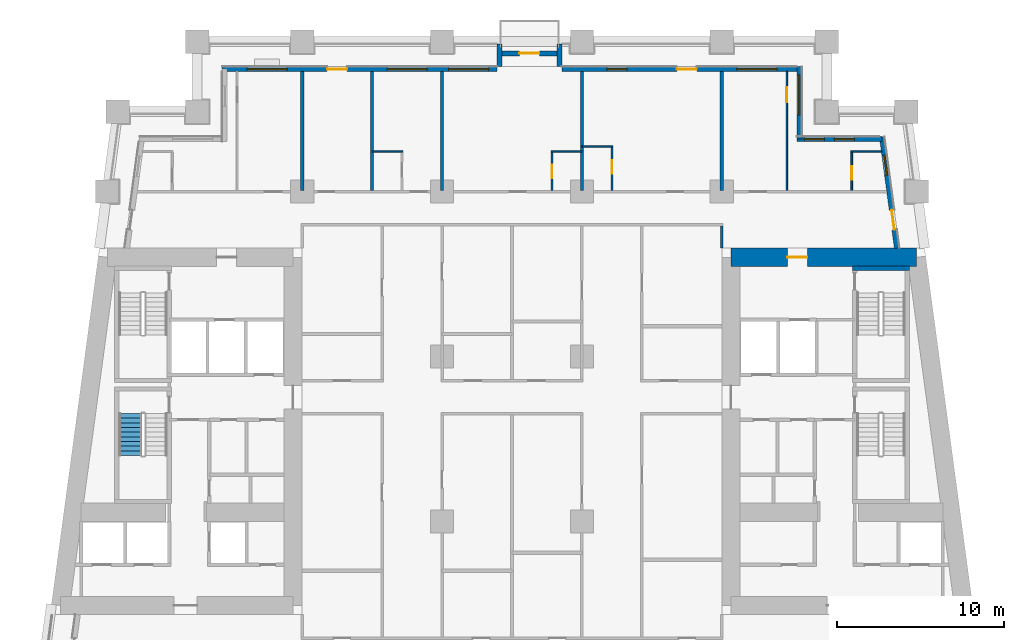
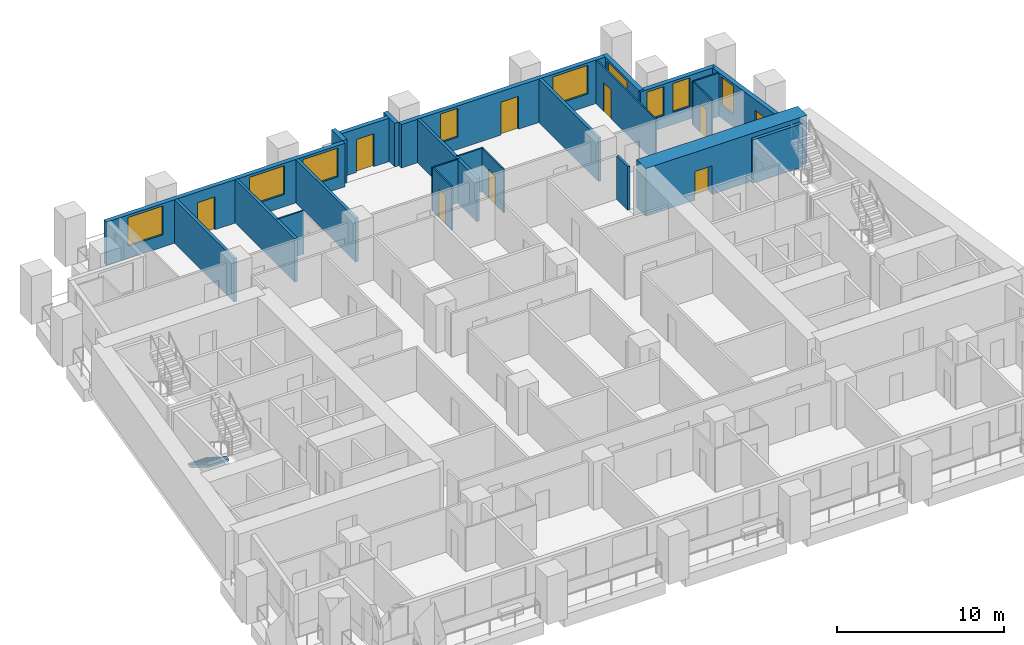
# One storey, part 7 of 13: 24 walls, 9 doors, 9 windows, 1 stair flight, 18 openings, 1 element without a shape of its own.
"""IFC4 building model written with IfcOpenShell, lengths in metres."""

from ifc_helpers import new_model, si_unit, direction, frame, frame_2d, origin, place, context, subcontext, project, spatial, polyline, rectangle, outline, extrude, material, layer, layer_set, type_object, element, fill, aggregate, save


model = new_model("IFC4")

# Units and contexts
model_context = context("Model", 3, precision=1e-05, world=origin(), true_north=direction((0.0, 1.0)))
body_context = subcontext(model_context, "Body", "Model", "MODEL_VIEW")
ifc_project = project(units=[si_unit("LENGTHUNIT", "METRE"), si_unit("AREAUNIT", "SQUARE_METRE"), si_unit("VOLUMEUNIT", "CUBIC_METRE"), si_unit("PLANEANGLEUNIT", "RADIAN"), si_unit("MASSUNIT", "GRAM", prefix="KILO")], contexts=[model_context])

# Site, building, storey
site_placement = place(None, origin())
site = spatial("IfcSite", under=ifc_project, at=site_placement, CompositionType="ELEMENT")
building_placement = place(site_placement, origin())
building = spatial("IfcBuilding", under=site, at=building_placement, Name="Candeia Pilgrim Tower and Theatre", CompositionType="ELEMENT")
storey_placement = place(building_placement, frame((0.0, 0.0, 63.5)))
storey = spatial("IfcBuildingStorey", under=building, at=storey_placement, Name="L13", CompositionType="ELEMENT", Elevation=63.5)

# Wall, opening, door
ifc_material_1 = material(Name="Concrete C80/95", Category="concrete")
ifc_layer_1 = layer(ifc_material_1, 1.10009765625)
ifc_layer_set_1 = layer_set([ifc_layer_1], Name="Core wall 1100 C80/95")
wall_type_1 = type_object("IfcWallType", Name="Core wall 1100 C80/95", PredefinedType="SHEAR", material=ifc_layer_set_1)
wall_1_placement = place(storey_placement, frame((126.550048828125, 131.85009765625, 0.0), z_axis=(0.0, 0.0, 1.0), x_axis=(1.0, 0.0, 0.0)))
wall_1 = element("IfcWall", 1, at=wall_1_placement, inside=storey, type_object=wall_type_1, Name="Core wall E1", PredefinedType="SHEAR", context=body_context, shape_type="SweptSolid", body=[
    extrude(rectangle(XDim=11.13818359375, YDim=1.10009765625, at=frame_2d((5.569091796875, 0.0))), origin(), (0.0, 0.0, 1.0), 3.5),
])
opening_1_placement = place(wall_1_placement, frame((3.386474609375, 0.0, 0.0)))
opening_1 = element("IfcOpeningElement", 2, at=opening_1_placement, cuts=wall_1, Name="Opening L13-D063", PredefinedType="OPENING", context=body_context, shape_type="SweptSolid", body=[
    extrude(rectangle(XDim=1.199951171875, YDim=2.10009765625, at=frame_2d((0.60009765625, 1.050048828125))), frame((0.0, 0.56005859375, 0.0), z_axis=(0.0, -1.0, 0.0), x_axis=(1.0, 0.0, 0.0)), (0.0, 0.0, 1.0), 1.1201171875),
])
ifc_material_2 = material(Name="Steel fire door set", Category="steel")
door_type_1 = type_object("IfcDoorType", Name="D-1200-FD60", OperationType="NOTDEFINED", PredefinedType="DOOR", material=ifc_material_2)
door_1_placement = place(opening_1_placement, origin())
door_1 = element("IfcDoor", 3, at=door_1_placement, inside=storey, type_object=door_type_1, Name="Door L13-D063", OperationType="SINGLE_SWING_RIGHT", OverallHeight=2.10009765625, OverallWidth=1.199951171875, PredefinedType="DOOR", context=body_context, shape_type="SweptSolid", body=[
    extrude(rectangle(XDim=1.199951171875, YDim=2.10009765625, at=frame_2d((0.60009765625, 1.050048828125))), frame((0.0, 0.02490234375, 0.0), z_axis=(0.0, -1.0, 0.0), x_axis=(1.0, 0.0, 0.0)), (0.0, 0.0, 1.0), 0.050048828125),
])
fill(opening_1, door_1)

# Wall, openings, door, window
ifc_material_3 = material(Name="Ceramic block masonry", Category="masonry")
ifc_layer_2 = layer(ifc_material_3, 0.300048828125)
ifc_layer_set_2 = layer_set([ifc_layer_2], Name="EW1 glazing-line wall 300")
wall_type_2 = type_object("IfcWallType", Name="EW1 glazing-line wall 300", PredefinedType="SOLIDWALL", material=ifc_layer_set_2)
wall_2_placement = place(storey_placement, frame((136.50439453125, 132.39990234375, 0.0), z_axis=(0.0, 0.0, 1.0), x_axis=(-0.133399697462, 0.99106231929, 0.0)))
wall_2 = element("IfcWall", 4, at=wall_2_placement, inside=storey, type_object=wall_type_2, Name="External wall L13-3.1", PredefinedType="SOLIDWALL", context=body_context, shape_type="SweptSolid", body=[
    extrude(rectangle(XDim=6.740478515625, YDim=0.300048828125, at=frame_2d((3.3701171875, 0.0))), origin(), (0.0, 0.0, 1.0), 3.179931640625),
])
opening_2_placement = place(wall_2_placement, frame((1.115234375, 0.0, 0.0)))
opening_2 = element("IfcOpeningElement", 5, at=opening_2_placement, cuts=wall_2, Name="Opening L13-ED150", PredefinedType="OPENING", context=body_context, shape_type="SweptSolid", body=[
    extrude(rectangle(XDim=1.199951171875, YDim=2.39990234375, at=frame_2d((0.60009765625, 1.199951171875))), frame((0.0, 0.16015625, 0.0), z_axis=(0.0, -1.0, 0.0), x_axis=(1.0, 0.0, 0.0)), (0.0, 0.0, 1.0), 0.320068359375),
])
opening_3_placement = place(wall_2_placement, frame((4.435546875, 0.0, 0.89990234375)))
opening_3 = element("IfcOpeningElement", 6, at=opening_3_placement, cuts=wall_2, Name="Opening W-B", PredefinedType="OPENING", context=body_context, shape_type="SweptSolid", body=[
    extrude(rectangle(XDim=1.199951171875, YDim=2.10009765625, at=frame_2d((0.60009765625, 1.050048828125))), frame((0.0, 0.16015625, 0.0), z_axis=(0.0, -1.0, 0.0), x_axis=(1.0, 0.0, 0.0)), (0.0, 0.0, 1.0), 0.320068359375),
])
ifc_material_4 = material(Name="Aluminium framed glazed door", Category="aluminium")
door_type_2 = type_object("IfcDoorType", Name="Loggia door 1200x2400", OperationType="DOUBLE_DOOR_SINGLE_SWING", PredefinedType="DOOR", material=ifc_material_4)
door_2_placement = place(opening_2_placement, origin())
door_2 = element("IfcDoor", 7, at=door_2_placement, inside=storey, type_object=door_type_2, Name="Loggia door L13-ED150", OperationType="DOUBLE_DOOR_SINGLE_SWING", OverallHeight=2.39990234375, OverallWidth=1.199951171875, PredefinedType="DOOR", context=body_context, shape_type="SweptSolid", body=[
    extrude(rectangle(XDim=1.199951171875, YDim=2.39990234375, at=frame_2d((0.60009765625, 1.199951171875))), frame((0.0, 0.02490234375, 0.0), z_axis=(0.0, -1.0, 0.0), x_axis=(1.0, 0.0, 0.0)), (0.0, 0.0, 1.0), 0.050048828125),
])
fill(opening_2, door_2)
ifc_material_5 = material(Name="Aluminium framed double glazing", Category="aluminium")
window_type_1 = type_object("IfcWindowType", Name="W-B window 1200x2100", PartitioningType="SINGLE_PANEL", PredefinedType="WINDOW", material=ifc_material_5)
window_1_placement = place(opening_3_placement, origin())
window_1 = element("IfcWindow", 8, at=window_1_placement, inside=storey, type_object=window_type_1, Name="Window W-B L13", OverallHeight=2.10009765625, OverallWidth=1.199951171875, PartitioningType="SINGLE_PANEL", PredefinedType="WINDOW", context=body_context, shape_type="SweptSolid", body=[
    extrude(rectangle(XDim=1.199951171875, YDim=2.10009765625, at=frame_2d((0.60009765625, 1.050048828125))), frame((0.0, 0.030029296875, 0.0), z_axis=(0.0, -1.0, 0.0), x_axis=(1.0, 0.0, 0.0)), (0.0, 0.0, 1.0), 0.06005859375),
])
fill(opening_3, window_1)

# Wall, openings, windows
wall_3_placement = place(storey_placement, frame((135.62255859375, 138.949951171875, 0.0), z_axis=(0.0, 0.0, 1.0), x_axis=(-1.0, 0.0, 0.0)))
wall_3 = element("IfcWall", 9, at=wall_3_placement, inside=storey, type_object=wall_type_2, Name="External wall L13-4.0", PredefinedType="SOLIDWALL", context=body_context, shape_type="SweptSolid", body=[
    extrude(rectangle(XDim=5.12255859375, YDim=0.300048828125, at=frame_2d((2.561279296875, 0.0))), origin(), (0.0, 0.0, 1.0), 3.179931640625),
])
opening_4_placement = place(wall_3_placement, frame((1.672607421875, 0.0, 0.89990234375)))
opening_4 = element("IfcOpeningElement", 10, at=opening_4_placement, cuts=wall_3, Name="Opening W-B", PredefinedType="OPENING", context=body_context, shape_type="SweptSolid", body=[
    extrude(rectangle(XDim=1.199951171875, YDim=2.10009765625, at=frame_2d((0.60009765625, 1.050048828125))), frame((0.0, 0.16015625, 0.0), z_axis=(0.0, -1.0, 0.0), x_axis=(1.0, 0.0, 0.0)), (0.0, 0.0, 1.0), 0.320068359375),
])
opening_5_placement = place(wall_3_placement, frame((3.47265625, 0.0, 0.89990234375)))
opening_5 = element("IfcOpeningElement", 11, at=opening_5_placement, cuts=wall_3, Name="Opening W-B", PredefinedType="OPENING", context=body_context, shape_type="SweptSolid", body=[
    extrude(rectangle(XDim=1.199951171875, YDim=2.10009765625, at=frame_2d((0.60009765625, 1.050048828125))), frame((0.0, 0.16015625, 0.0), z_axis=(0.0, -1.0, 0.0), x_axis=(1.0, 0.0, 0.0)), (0.0, 0.0, 1.0), 0.320068359375),
])
window_2_placement = place(opening_4_placement, origin())
window_2 = element("IfcWindow", 12, at=window_2_placement, inside=storey, type_object=window_type_1, Name="Window W-B L13", OverallHeight=2.10009765625, OverallWidth=1.199951171875, PartitioningType="SINGLE_PANEL", PredefinedType="WINDOW", context=body_context, shape_type="SweptSolid", body=[
    extrude(rectangle(XDim=1.199951171875, YDim=2.10009765625, at=frame_2d((0.60009765625, 1.050048828125))), frame((0.0, 0.030029296875, 0.0), z_axis=(0.0, -1.0, 0.0), x_axis=(1.0, 0.0, 0.0)), (0.0, 0.0, 1.0), 0.06005859375),
])
fill(opening_4, window_2)
window_3_placement = place(opening_5_placement, origin())
window_3 = element("IfcWindow", 13, at=window_3_placement, inside=storey, type_object=window_type_1, Name="Window W-B L13", OverallHeight=2.10009765625, OverallWidth=1.199951171875, PartitioningType="SINGLE_PANEL", PredefinedType="WINDOW", context=body_context, shape_type="SweptSolid", body=[
    extrude(rectangle(XDim=1.199951171875, YDim=2.10009765625, at=frame_2d((0.60009765625, 1.050048828125))), frame((0.0, 0.030029296875, 0.0), z_axis=(0.0, -1.0, 0.0), x_axis=(1.0, 0.0, 0.0)), (0.0, 0.0, 1.0), 0.06005859375),
])
fill(opening_5, window_3)

# Wall, opening, window
wall_4_placement = place(storey_placement, frame((130.64990234375, 138.949951171875, 0.0), z_axis=(0.0, 0.0, 1.0), x_axis=(0.0, 1.0, 0.0)))
wall_4 = element("IfcWall", 14, at=wall_4_placement, inside=storey, type_object=wall_type_2, Name="External wall L13-5.0", PredefinedType="SOLIDWALL", context=body_context, shape_type="SweptSolid", body=[
    extrude(rectangle(XDim=4.35009765625, YDim=0.300048828125, at=frame_2d((2.175048828125, 0.0))), origin(), (0.0, 0.0, 1.0), 3.179931640625),
])
opening_6_placement = place(wall_4_placement, frame((1.449951171875, 0.0, 0.89990234375)))
opening_6 = element("IfcOpeningElement", 15, at=opening_6_placement, cuts=wall_4, Name="Opening W-A", PredefinedType="OPENING", context=body_context, shape_type="SweptSolid", body=[
    extrude(rectangle(XDim=2.39990234375, YDim=2.10009765625, at=frame_2d((1.199951171875, 1.050048828125))), frame((0.0, 0.16015625, 0.0), z_axis=(0.0, -1.0, 0.0), x_axis=(1.0, 0.0, 0.0)), (0.0, 0.0, 1.0), 0.320068359375),
])
window_type_2 = type_object("IfcWindowType", Name="W-A window 2400x2100", PartitioningType="DOUBLE_PANEL_VERTICAL", PredefinedType="WINDOW", material=ifc_material_5)
window_4_placement = place(opening_6_placement, origin())
window_4 = element("IfcWindow", 16, at=window_4_placement, inside=storey, type_object=window_type_2, Name="Window W-A L13", OverallHeight=2.10009765625, OverallWidth=2.39990234375, PartitioningType="SINGLE_PANEL", PredefinedType="WINDOW", context=body_context, shape_type="SweptSolid", body=[
    extrude(rectangle(XDim=2.39990234375, YDim=2.10009765625, at=frame_2d((1.199951171875, 1.050048828125))), frame((0.0, 0.030029296875, 0.0), z_axis=(0.0, -1.0, 0.0), x_axis=(1.0, 0.0, 0.0)), (0.0, 0.0, 1.0), 0.06005859375),
])
fill(opening_6, window_4)

# Wall, openings, door, windows
wall_5_placement = place(storey_placement, frame((130.64990234375, 143.14990234375, 0.0), z_axis=(0.0, 0.0, 1.0), x_axis=(-1.0, 0.0, 0.0)))
wall_5 = element("IfcWall", 17, at=wall_5_placement, inside=storey, type_object=wall_type_2, Name="External wall L13-6.0", PredefinedType="SOLIDWALL", context=body_context, shape_type="SweptSolid", body=[
    extrude(rectangle(XDim=14.25, YDim=0.300048828125, at=frame_2d((7.125, 0.0))), origin(), (0.0, 0.0, 1.0), 3.179931640625),
])
opening_7_placement = place(wall_5_placement, frame((1.35009765625, 0.0, 0.89990234375)))
opening_7 = element("IfcOpeningElement", 18, at=opening_7_placement, cuts=wall_5, Name="Opening W-A", PredefinedType="OPENING", context=body_context, shape_type="SweptSolid", body=[
    extrude(rectangle(XDim=2.39990234375, YDim=2.10009765625, at=frame_2d((1.199951171875, 1.050048828125))), frame((0.0, 0.16015625, 0.0), z_axis=(0.0, -1.0, 0.0), x_axis=(1.0, 0.0, 0.0)), (0.0, 0.0, 1.0), 0.320068359375),
])
opening_8_placement = place(wall_5_placement, frame((6.14990234375, 0.0, 0.0)))
opening_8 = element("IfcOpeningElement", 19, at=opening_8_placement, cuts=wall_5, Name="Opening L13-ED151", PredefinedType="OPENING", context=body_context, shape_type="SweptSolid", body=[
    extrude(rectangle(XDim=1.199951171875, YDim=2.39990234375, at=frame_2d((0.60009765625, 1.199951171875))), frame((0.0, 0.16015625, 0.0), z_axis=(0.0, -1.0, 0.0), x_axis=(1.0, 0.0, 0.0)), (0.0, 0.0, 1.0), 0.320068359375),
])
opening_9_placement = place(wall_5_placement, frame((10.35009765625, 0.0, 0.89990234375)))
opening_9 = element("IfcOpeningElement", 20, at=opening_9_placement, cuts=wall_5, Name="Opening W-B", PredefinedType="OPENING", context=body_context, shape_type="SweptSolid", body=[
    extrude(rectangle(XDim=1.199951171875, YDim=2.10009765625, at=frame_2d((0.60009765625, 1.050048828125))), frame((0.0, 0.16015625, 0.0), z_axis=(0.0, -1.0, 0.0), x_axis=(1.0, 0.0, 0.0)), (0.0, 0.0, 1.0), 0.320068359375),
])
door_3_placement = place(opening_8_placement, origin())
door_3 = element("IfcDoor", 21, at=door_3_placement, inside=storey, type_object=door_type_2, Name="Loggia door L13-ED151", OperationType="DOUBLE_DOOR_SINGLE_SWING", OverallHeight=2.39990234375, OverallWidth=1.199951171875, PredefinedType="DOOR", context=body_context, shape_type="SweptSolid", body=[
    extrude(rectangle(XDim=1.199951171875, YDim=2.39990234375, at=frame_2d((0.60009765625, 1.199951171875))), frame((0.0, 0.02490234375, 0.0), z_axis=(0.0, -1.0, 0.0), x_axis=(1.0, 0.0, 0.0)), (0.0, 0.0, 1.0), 0.050048828125),
])
fill(opening_8, door_3)
window_5_placement = place(opening_7_placement, origin())
window_5 = element("IfcWindow", 22, at=window_5_placement, inside=storey, type_object=window_type_2, Name="Window W-A L13", OverallHeight=2.10009765625, OverallWidth=2.39990234375, PartitioningType="SINGLE_PANEL", PredefinedType="WINDOW", context=body_context, shape_type="SweptSolid", body=[
    extrude(rectangle(XDim=2.39990234375, YDim=2.10009765625, at=frame_2d((1.199951171875, 1.050048828125))), frame((0.0, 0.030029296875, 0.0), z_axis=(0.0, -1.0, 0.0), x_axis=(1.0, 0.0, 0.0)), (0.0, 0.0, 1.0), 0.06005859375),
])
fill(opening_7, window_5)
window_6_placement = place(opening_9_placement, origin())
window_6 = element("IfcWindow", 23, at=window_6_placement, inside=storey, type_object=window_type_1, Name="Window W-B L13", OverallHeight=2.10009765625, OverallWidth=1.199951171875, PartitioningType="SINGLE_PANEL", PredefinedType="WINDOW", context=body_context, shape_type="SweptSolid", body=[
    extrude(rectangle(XDim=1.199951171875, YDim=2.10009765625, at=frame_2d((0.60009765625, 1.050048828125))), frame((0.0, 0.030029296875, 0.0), z_axis=(0.0, -1.0, 0.0), x_axis=(1.0, 0.0, 0.0)), (0.0, 0.0, 1.0), 0.06005859375),
])
fill(opening_9, window_6)

wall_6_placement = place(storey_placement, frame((112.5, 143.14990234375, 0.0), z_axis=(0.0, 0.0, 1.0), x_axis=(-1.0, 0.0, 0.0)))
wall_6 = element("IfcWall", 24, at=wall_6_placement, inside=storey, type_object=wall_type_2, Name="External wall L13-6.1", PredefinedType="SOLIDWALL", context=body_context, shape_type="SweptSolid", body=[
    extrude(rectangle(XDim=16.5, YDim=0.300048828125, at=frame_2d((8.25, 0.0))), origin(), (0.0, 0.0, 1.0), 3.179931640625),
])
opening_10_placement = place(wall_6_placement, frame((0.5, 0.0, 0.89990234375)))
opening_10 = element("IfcOpeningElement", 25, at=opening_10_placement, cuts=wall_6, Name="Opening W-A", PredefinedType="OPENING", context=body_context, shape_type="SweptSolid", body=[
    extrude(rectangle(XDim=2.39990234375, YDim=2.10009765625, at=frame_2d((1.199951171875, 1.050048828125))), frame((0.0, 0.16015625, 0.0), z_axis=(0.0, -1.0, 0.0), x_axis=(1.0, 0.0, 0.0)), (0.0, 0.0, 1.0), 0.320068359375),
])
opening_11_placement = place(wall_6_placement, frame((4.199951171875, 0.0, 0.89990234375)))
opening_11 = element("IfcOpeningElement", 26, at=opening_11_placement, cuts=wall_6, Name="Opening W-A", PredefinedType="OPENING", context=body_context, shape_type="SweptSolid", body=[
    extrude(rectangle(XDim=2.39990234375, YDim=2.10009765625, at=frame_2d((1.199951171875, 1.050048828125))), frame((0.0, 0.16015625, 0.0), z_axis=(0.0, -1.0, 0.0), x_axis=(1.0, 0.0, 0.0)), (0.0, 0.0, 1.0), 0.320068359375),
])
opening_12_placement = place(wall_6_placement, frame((9.0, 0.0, 0.0)))
opening_12 = element("IfcOpeningElement", 27, at=opening_12_placement, cuts=wall_6, Name="Opening L13-ED152", PredefinedType="OPENING", context=body_context, shape_type="SweptSolid", body=[
    extrude(rectangle(XDim=1.199951171875, YDim=2.39990234375, at=frame_2d((0.60009765625, 1.199951171875))), frame((0.0, 0.16015625, 0.0), z_axis=(0.0, -1.0, 0.0), x_axis=(1.0, 0.0, 0.0)), (0.0, 0.0, 1.0), 0.320068359375),
])
opening_13_placement = place(wall_6_placement, frame((12.60009765625, 0.0, 0.89990234375)))
opening_13 = element("IfcOpeningElement", 28, at=opening_13_placement, cuts=wall_6, Name="Opening W-A", PredefinedType="OPENING", context=body_context, shape_type="SweptSolid", body=[
    extrude(rectangle(XDim=2.39990234375, YDim=2.10009765625, at=frame_2d((1.199951171875, 1.050048828125))), frame((0.0, 0.16015625, 0.0), z_axis=(0.0, -1.0, 0.0), x_axis=(1.0, 0.0, 0.0)), (0.0, 0.0, 1.0), 0.320068359375),
])
door_4_placement = place(opening_12_placement, origin())
door_4 = element("IfcDoor", 29, at=door_4_placement, inside=storey, type_object=door_type_2, Name="Loggia door L13-ED152", OperationType="DOUBLE_DOOR_SINGLE_SWING", OverallHeight=2.39990234375, OverallWidth=1.199951171875, PredefinedType="DOOR", context=body_context, shape_type="SweptSolid", body=[
    extrude(rectangle(XDim=1.199951171875, YDim=2.39990234375, at=frame_2d((0.60009765625, 1.199951171875))), frame((0.0, 0.02490234375, 0.0), z_axis=(0.0, -1.0, 0.0), x_axis=(1.0, 0.0, 0.0)), (0.0, 0.0, 1.0), 0.050048828125),
])
fill(opening_12, door_4)
window_7_placement = place(opening_10_placement, origin())
window_7 = element("IfcWindow", 30, at=window_7_placement, inside=storey, type_object=window_type_2, Name="Window W-A L13", OverallHeight=2.10009765625, OverallWidth=2.39990234375, PartitioningType="SINGLE_PANEL", PredefinedType="WINDOW", context=body_context, shape_type="SweptSolid", body=[
    extrude(rectangle(XDim=2.39990234375, YDim=2.10009765625, at=frame_2d((1.199951171875, 1.050048828125))), frame((0.0, 0.030029296875, 0.0), z_axis=(0.0, -1.0, 0.0), x_axis=(1.0, 0.0, 0.0)), (0.0, 0.0, 1.0), 0.06005859375),
])
fill(opening_10, window_7)
window_8_placement = place(opening_11_placement, origin())
window_8 = element("IfcWindow", 31, at=window_8_placement, inside=storey, type_object=window_type_2, Name="Window W-A L13", OverallHeight=2.10009765625, OverallWidth=2.39990234375, PartitioningType="SINGLE_PANEL", PredefinedType="WINDOW", context=body_context, shape_type="SweptSolid", body=[
    extrude(rectangle(XDim=2.39990234375, YDim=2.10009765625, at=frame_2d((1.199951171875, 1.050048828125))), frame((0.0, 0.030029296875, 0.0), z_axis=(0.0, -1.0, 0.0), x_axis=(1.0, 0.0, 0.0)), (0.0, 0.0, 1.0), 0.06005859375),
])
fill(opening_11, window_8)
window_9_placement = place(opening_13_placement, origin())
window_9 = element("IfcWindow", 32, at=window_9_placement, inside=storey, type_object=window_type_2, Name="Window W-A L13", OverallHeight=2.10009765625, OverallWidth=2.39990234375, PartitioningType="SINGLE_PANEL", PredefinedType="WINDOW", context=body_context, shape_type="SweptSolid", body=[
    extrude(rectangle(XDim=2.39990234375, YDim=2.10009765625, at=frame_2d((1.199951171875, 1.050048828125))), frame((0.0, 0.030029296875, 0.0), z_axis=(0.0, -1.0, 0.0), x_axis=(1.0, 0.0, 0.0)), (0.0, 0.0, 1.0), 0.06005859375),
])
fill(opening_13, window_9)

# Walls
ifc_layer_3 = layer(ifc_material_3, 0.300048828125)
ifc_layer_set_3 = layer_set([ifc_layer_3], Name="EW2 entrance infill wall 300")
wall_type_3 = type_object("IfcWallType", Name="EW2 entrance infill wall 300", PredefinedType="SOLIDWALL", material=ifc_layer_set_3)
for number, where, z_axis, x_axis, name in (
    (33, (116.25, 143.300048828125, 0.0), (0.0, 0.0, 1.0), (0.0, 1.0, 0.0), "Alcove wall L13"),
    (34, (112.64990234375, 143.300048828125, 0.0), (0.0, 0.0, 1.0), (0.0, 1.0, 0.0), "Alcove wall L13"),
):
    element("IfcWall", number, at=place(storey_placement, frame(where, z_axis=z_axis, x_axis=x_axis)), inside=storey, type_object=wall_type_3, Name=name, PredefinedType="SOLIDWALL", context=body_context, shape_type="SweptSolid", body=[
        extrude(rectangle(XDim=1.349853515625, YDim=0.300048828125, at=frame_2d((0.6748046875, 0.0))), origin(), (0.0, 0.0, 1.0), 3.179931640625),
    ])

# Wall, opening, door
wall_7_placement = place(storey_placement, frame((116.39990234375, 144.10009765625, 0.0), z_axis=(0.0, 0.0, 1.0), x_axis=(-1.0, 0.0, 0.0)))
wall_7 = element("IfcWall", 35, at=wall_7_placement, inside=storey, type_object=wall_type_3, Name="Alcove wall L13", PredefinedType="SOLIDWALL", context=body_context, shape_type="SweptSolid", body=[
    extrude(rectangle(XDim=3.89990234375, YDim=0.300048828125, at=frame_2d((1.949951171875, 0.0))), origin(), (0.0, 0.0, 1.0), 3.179931640625),
])
opening_14_placement = place(wall_7_placement, frame((1.35009765625, 0.0, 0.0)))
opening_14 = element("IfcOpeningElement", 36, at=opening_14_placement, cuts=wall_7, Name="Opening L13-ED153", PredefinedType="OPENING", context=body_context, shape_type="SweptSolid", body=[
    extrude(rectangle(XDim=1.199951171875, YDim=2.39990234375, at=frame_2d((0.60009765625, 1.199951171875))), frame((0.0, 0.16015625, 0.0), z_axis=(0.0, -1.0, 0.0), x_axis=(1.0, 0.0, 0.0)), (0.0, 0.0, 1.0), 0.320068359375),
])
door_5_placement = place(opening_14_placement, origin())
door_5 = element("IfcDoor", 37, at=door_5_placement, inside=storey, type_object=door_type_2, Name="Balcony door L13-ED153", OperationType="DOUBLE_DOOR_SINGLE_SWING", OverallHeight=2.39990234375, OverallWidth=1.199951171875, PredefinedType="DOOR", context=body_context, shape_type="SweptSolid", body=[
    extrude(rectangle(XDim=1.199951171875, YDim=2.39990234375, at=frame_2d((0.60009765625, 1.199951171875))), frame((0.0, 0.02490234375, 0.0), z_axis=(0.0, -1.0, 0.0), x_axis=(1.0, 0.0, 0.0)), (0.0, 0.0, 1.0), 0.050048828125),
])
fill(opening_14, door_5)

# Walls
ifc_material_6 = material(Name="Gypsum board partition on steel studs", Category="steel")
ifc_layer_4 = layer(ifc_material_6, 0.10009765625)
ifc_layer_set_4 = layer_set([ifc_layer_4], Name="PW-100 room partition")
wall_type_4 = type_object("IfcWallType", Name="PW-100 room partition", PredefinedType="PARTITIONING", material=ifc_layer_set_4)
for number, where, z_axis, x_axis, name in (
    (38, (105.0, 138.199951171875, 0.0), (0.0, 0.0, 1.0), (1.0, 0.0, 0.0), "Room partition L13-050"),
    (39, (115.75, 138.199951171875, 0.0), (0.0, 0.0, 1.0), (1.0, 0.0, 0.0), "Room partition L13-051"),
):
    element("IfcWall", number, at=place(storey_placement, frame(where, z_axis=z_axis, x_axis=x_axis)), inside=storey, type_object=wall_type_4, Name=name, PredefinedType="PARTITIONING", context=body_context, shape_type="SweptSolid", body=[
        extrude(rectangle(XDim=1.85009765625, YDim=0.10009765625, at=frame_2d((0.925048828125, 0.0))), origin(), (0.0, 0.0, 1.0), 3.179931640625),
    ])
wall_8_placement = place(storey_placement, frame((133.75, 138.199951171875, 0.0), z_axis=(0.0, 0.0, 1.0), x_axis=(1.0, 0.0, 0.0)))
element("IfcWall", 40, at=wall_8_placement, inside=storey, type_object=wall_type_4, Name="Room partition L13-052", PredefinedType="PARTITIONING", context=body_context, shape_type="SweptSolid", body=[
    extrude(rectangle(XDim=1.832275390625, YDim=0.10009765625, at=frame_2d((0.916015625, 0.0))), origin(), (0.0, 0.0, 1.0), 3.179931640625),
])
wall_9_placement = place(storey_placement, frame((117.60009765625, 138.5, 0.0), z_axis=(0.0, 0.0, 1.0), x_axis=(1.0, 0.0, 0.0)))
element("IfcWall", 41, at=wall_9_placement, inside=storey, type_object=wall_type_4, Name="Room partition L13-053", PredefinedType="PARTITIONING", context=body_context, shape_type="SweptSolid", body=[
    extrude(rectangle(XDim=1.849853515625, YDim=0.10009765625, at=frame_2d((0.9248046875, 0.0))), origin(), (0.0, 0.0, 1.0), 3.179931640625),
])

# Wall, opening, door
wall_10_placement = place(storey_placement, frame((115.800048828125, 135.875, 0.0), z_axis=(0.0, 0.0, 1.0), x_axis=(0.0, 1.0, 0.0)))
wall_10 = element("IfcWall", 42, at=wall_10_placement, inside=storey, type_object=wall_type_4, Name="Room partition L13-093", PredefinedType="PARTITIONING", context=body_context, shape_type="SweptSolid", body=[
    extrude(rectangle(XDim=2.27490234375, YDim=0.10009765625, at=frame_2d((1.137451171875, 0.0))), origin(), (0.0, 0.0, 1.0), 3.179931640625),
])
opening_15_placement = place(wall_10_placement, frame((0.72509765625, 0.0, 0.0)))
opening_15 = element("IfcOpeningElement", 43, at=opening_15_placement, cuts=wall_10, Name="Opening L13-D037", PredefinedType="OPENING", context=body_context, shape_type="SweptSolid", body=[
    extrude(rectangle(XDim=0.800048828125, YDim=2.10009765625, at=frame_2d((0.39990234375, 1.050048828125))), frame((0.0, 0.06005859375, 0.0), z_axis=(0.0, -1.0, 0.0), x_axis=(1.0, 0.0, 0.0)), (0.0, 0.0, 1.0), 0.1201171875),
])
ifc_material_7 = material(Name="Timber door leaf", Category="wood")
door_type_3 = type_object("IfcDoorType", Name="D-800", OperationType="NOTDEFINED", PredefinedType="DOOR", material=ifc_material_7)
door_6_placement = place(opening_15_placement, origin())
door_6 = element("IfcDoor", 44, at=door_6_placement, inside=storey, type_object=door_type_3, Name="Door L13-D037", OperationType="SINGLE_SWING_RIGHT", OverallHeight=2.10009765625, OverallWidth=0.800048828125, PredefinedType="DOOR", context=body_context, shape_type="SweptSolid", body=[
    extrude(rectangle(XDim=0.800048828125, YDim=2.10009765625, at=frame_2d((0.39990234375, 1.050048828125))), frame((0.0, 0.02490234375, 0.0), z_axis=(0.0, -1.0, 0.0), x_axis=(1.0, 0.0, 0.0)), (0.0, 0.0, 1.0), 0.050048828125),
])
fill(opening_15, door_6)

wall_11_placement = place(storey_placement, frame((119.39990234375, 135.875, 0.0), z_axis=(0.0, 0.0, 1.0), x_axis=(0.0, 1.0, 0.0)))
wall_11 = element("IfcWall", 45, at=wall_11_placement, inside=storey, type_object=wall_type_4, Name="Room partition L13-098", PredefinedType="PARTITIONING", context=body_context, shape_type="SweptSolid", body=[
    extrude(rectangle(XDim=2.574951171875, YDim=0.10009765625, at=frame_2d((1.28759765625, 0.0))), origin(), (0.0, 0.0, 1.0), 3.179931640625),
])
opening_16_placement = place(wall_11_placement, frame((0.9951171875, 0.0, 0.0)))
opening_16 = element("IfcOpeningElement", 46, at=opening_16_placement, cuts=wall_11, Name="Opening L13-D039", PredefinedType="OPENING", context=body_context, shape_type="SweptSolid", body=[
    extrude(rectangle(XDim=0.800048828125, YDim=2.10009765625, at=frame_2d((0.39990234375, 1.050048828125))), frame((0.0, 0.06005859375, 0.0), z_axis=(0.0, -1.0, 0.0), x_axis=(1.0, 0.0, 0.0)), (0.0, 0.0, 1.0), 0.1201171875),
])
door_7_placement = place(opening_16_placement, origin())
door_7 = element("IfcDoor", 47, at=door_7_placement, inside=storey, type_object=door_type_3, Name="Door L13-D039", OperationType="SINGLE_SWING_RIGHT", OverallHeight=2.10009765625, OverallWidth=0.800048828125, PredefinedType="DOOR", context=body_context, shape_type="SweptSolid", body=[
    extrude(rectangle(XDim=0.800048828125, YDim=2.10009765625, at=frame_2d((0.39990234375, 1.050048828125))), frame((0.0, 0.02490234375, 0.0), z_axis=(0.0, -1.0, 0.0), x_axis=(1.0, 0.0, 0.0)), (0.0, 0.0, 1.0), 0.050048828125),
])
fill(opening_16, door_7)

wall_12_placement = place(storey_placement, frame((129.89990234375, 135.875, 0.0), z_axis=(0.0, 0.0, 1.0), x_axis=(0.0, 1.0, 0.0)))
wall_12 = element("IfcWall", 48, at=wall_12_placement, inside=storey, type_object=wall_type_4, Name="Room partition L13-109", PredefinedType="PARTITIONING", context=body_context, shape_type="SweptSolid", body=[
    extrude(rectangle(XDim=7.135009765625, YDim=0.10009765625, at=frame_2d((3.5673828125, 0.0))), origin(), (0.0, 0.0, 1.0), 3.179931640625),
])
opening_17_placement = place(wall_12_placement, frame((5.2900390625, 0.0, 0.0)))
opening_17 = element("IfcOpeningElement", 49, at=opening_17_placement, cuts=wall_12, Name="Opening L13-D041", PredefinedType="OPENING", context=body_context, shape_type="SweptSolid", body=[
    extrude(rectangle(XDim=0.89990234375, YDim=2.10009765625, at=frame_2d((0.449951171875, 1.050048828125))), frame((0.0, 0.06005859375, 0.0), z_axis=(0.0, -1.0, 0.0), x_axis=(1.0, 0.0, 0.0)), (0.0, 0.0, 1.0), 0.1201171875),
])
door_type_4 = type_object("IfcDoorType", Name="D-900", OperationType="NOTDEFINED", PredefinedType="DOOR", material=ifc_material_7)
door_8_placement = place(opening_17_placement, origin())
door_8 = element("IfcDoor", 50, at=door_8_placement, inside=storey, type_object=door_type_4, Name="Door L13-D041", OperationType="SINGLE_SWING_RIGHT", OverallHeight=2.10009765625, OverallWidth=0.89990234375, PredefinedType="DOOR", context=body_context, shape_type="SweptSolid", body=[
    extrude(rectangle(XDim=0.89990234375, YDim=2.10009765625, at=frame_2d((0.449951171875, 1.050048828125))), frame((0.0, 0.02490234375, 0.0), z_axis=(0.0, -1.0, 0.0), x_axis=(1.0, 0.0, 0.0)), (0.0, 0.0, 1.0), 0.050048828125),
])
fill(opening_17, door_8)

wall_13_placement = place(storey_placement, frame((133.800048828125, 135.875, 0.0), z_axis=(0.0, 0.0, 1.0), x_axis=(0.0, 1.0, 0.0)))
wall_13 = element("IfcWall", 51, at=wall_13_placement, inside=storey, type_object=wall_type_4, Name="Room partition L13-115", PredefinedType="PARTITIONING", context=body_context, shape_type="SweptSolid", body=[
    extrude(rectangle(XDim=2.27490234375, YDim=0.10009765625, at=frame_2d((1.137451171875, 0.0))), origin(), (0.0, 0.0, 1.0), 3.179931640625),
])
opening_18_placement = place(wall_13_placement, frame((0.635009765625, 0.0, 0.0)))
opening_18 = element("IfcOpeningElement", 52, at=opening_18_placement, cuts=wall_13, Name="Opening L13-D042", PredefinedType="OPENING", context=body_context, shape_type="SweptSolid", body=[
    extrude(rectangle(XDim=0.800048828125, YDim=2.10009765625, at=frame_2d((0.39990234375, 1.050048828125))), frame((0.0, 0.06005859375, 0.0), z_axis=(0.0, -1.0, 0.0), x_axis=(1.0, 0.0, 0.0)), (0.0, 0.0, 1.0), 0.1201171875),
])
door_9_placement = place(opening_18_placement, origin())
door_9 = element("IfcDoor", 53, at=door_9_placement, inside=storey, type_object=door_type_3, Name="Door L13-D042", OperationType="SINGLE_SWING_LEFT", OverallHeight=2.10009765625, OverallWidth=0.800048828125, PredefinedType="DOOR", context=body_context, shape_type="SweptSolid", body=[
    extrude(rectangle(XDim=0.800048828125, YDim=2.10009765625, at=frame_2d((0.39990234375, 1.050048828125))), frame((0.0, 0.02490234375, 0.0), z_axis=(0.0, -1.0, 0.0), x_axis=(1.0, 0.0, 0.0)), (0.0, 0.0, 1.0), 0.050048828125),
])
fill(opening_18, door_9)

# Walls
ifc_layer_5 = layer(ifc_material_6, 0.14990234375)
ifc_layer_set_5 = layer_set([ifc_layer_5], Name="PW-150 unit wall")
wall_type_5 = type_object("IfcWallType", Name="PW-150 unit wall", PredefinedType="PARTITIONING", material=ifc_layer_set_5)
wall_14_placement = place(storey_placement, frame((126.0, 132.39990234375, 0.0), z_axis=(0.0, 0.0, 1.0), x_axis=(0.0, 1.0, 0.0)))
element("IfcWall", 54, at=wall_14_placement, inside=storey, type_object=wall_type_5, Name="Unit wall L13-105", PredefinedType="PARTITIONING", context=body_context, shape_type="SweptSolid", body=[
    extrude(rectangle(XDim=1.3251953125, YDim=0.14990234375, at=frame_2d((0.66259765625, 0.0))), origin(), (0.0, 0.0, 1.0), 3.179931640625),
])
ifc_layer_6 = layer(ifc_material_6, 0.199951171875)
ifc_layer_set_6 = layer_set([ifc_layer_6], Name="PW-200 party wall")
wall_type_6 = type_object("IfcWallType", Name="PW-200 party wall", PredefinedType="PARTITIONING", material=ifc_layer_set_6)
for number, where, z_axis, x_axis, name in (
    (55, (100.800048828125, 135.875, 0.0), (0.0, 0.0, 1.0), (0.0, 1.0, 0.0), "Party wall L13-078"),
    (56, (105.0, 135.875, 0.0), (0.0, 0.0, 1.0), (0.0, 1.0, 0.0), "Party wall L13-082"),
    (57, (109.199951171875, 135.875, 0.0), (0.0, 0.0, 1.0), (0.0, 1.0, 0.0), "Party wall L13-087"),
    (58, (117.60009765625, 135.875, 0.0), (0.0, 0.0, 1.0), (0.0, 1.0, 0.0), "Party wall L13-095"),
    (59, (126.0, 135.875, 0.0), (0.0, 0.0, 1.0), (0.0, 1.0, 0.0), "Party wall L13-103"),
):
    element("IfcWall", number, at=place(storey_placement, frame(where, z_axis=z_axis, x_axis=x_axis)), inside=storey, type_object=wall_type_6, Name=name, PredefinedType="PARTITIONING", context=body_context, shape_type="SweptSolid", body=[
        extrude(rectangle(XDim=7.135009765625, YDim=0.199951171875, at=frame_2d((3.5673828125, 0.0))), origin(), (0.0, 0.0, 1.0), 3.179931640625),
    ])
ifc_material_8 = material(Name="Concrete C40/50", Category="concrete")
ifc_layer_7 = layer(ifc_material_8, 0.25)
ifc_layer_set_7 = layer_set([ifc_layer_7], Name="SW-250 stair wall")
wall_type_7 = type_object("IfcWallType", Name="SW-250 stair wall", PredefinedType="PARTITIONING", material=ifc_layer_set_7)
wall_15_placement = place(storey_placement, frame((133.847900390625, 131.199951171875, 0.0), z_axis=(0.0, 0.0, 1.0), x_axis=(1.0, 0.0, 0.0)))
element("IfcWall", 60, at=wall_15_placement, inside=storey, type_object=wall_type_7, Name="Stair wall L13-046", PredefinedType="PARTITIONING", context=body_context, shape_type="SweptSolid", body=[
    extrude(rectangle(XDim=3.400146484375, YDim=0.25, at=frame_2d((1.7001953125, 0.0))), origin(), (0.0, 0.0, 1.0), 3.179931640625),
])

# Stair, stair flight
stair_type = type_object("IfcStairType", Name="ST-TWR dog-leg escape stair", PredefinedType="HALF_TURN_STAIR", material=ifc_material_8)
stair_placement = place(storey_placement, origin())
stair = element("IfcStair", 61, at=stair_placement, inside=storey, type_object=stair_type, Name="L13 Escape stair ST1", PredefinedType="HALF_TURN_STAIR")
stair_flight_type = type_object("IfcStairFlightType", Name="SFL-RC stair flight", PredefinedType="STRAIGHT", material=ifc_material_8)
stair_flight_placement = place(storey_placement, frame((90.47705078125, 122.47509765625, 0.0), z_axis=(0.0, 0.0, 1.0), x_axis=(0.0, -1.0, 0.0)))
stair_flight = element("IfcStairFlight", 62, at=stair_flight_placement, type_object=stair_flight_type, Name="ST1 flight 1", NumberOfRisers=10, NumberOfTreads=9, PredefinedType="STRAIGHT", RiserHeight=0.175, TreadLength=0.28, context=body_context, shape_type="SweptSolid", body=[
    extrude(outline(polyline([(0.0, 0.0), (0.0, 0.175048828125), (0.280029296875, 0.175048828125), (0.280029296875, 0.35009765625), (0.56005859375, 0.35009765625), (0.56005859375, 0.52490234375), (0.840087890625, 0.52490234375), (0.840087890625, 0.699951171875), (1.1201171875, 0.699951171875), (1.1201171875, 0.875), (1.39990234375, 0.875), (1.39990234375, 1.050048828125), (1.679931640625, 1.050048828125), (1.679931640625, 1.22509765625), (1.9599609375, 1.22509765625), (1.9599609375, 1.39990234375), (2.239990234375, 1.39990234375), (2.239990234375, 1.574951171875), (2.52001953125, 1.574951171875), (2.52001953125, 1.75), (2.52001953125, 1.398193359375), (0.28271484375, 0.0), (0.0, 0.0)])), frame((0.0, 0.675048828125, 0.0), z_axis=(0.0, -1.0, 0.0), x_axis=(1.0, 0.0, 0.0)), (0.0, 0.0, 1.0), 1.35009765625),
])
aggregate(stair, [stair_flight])

save(model, "model.ifc")
